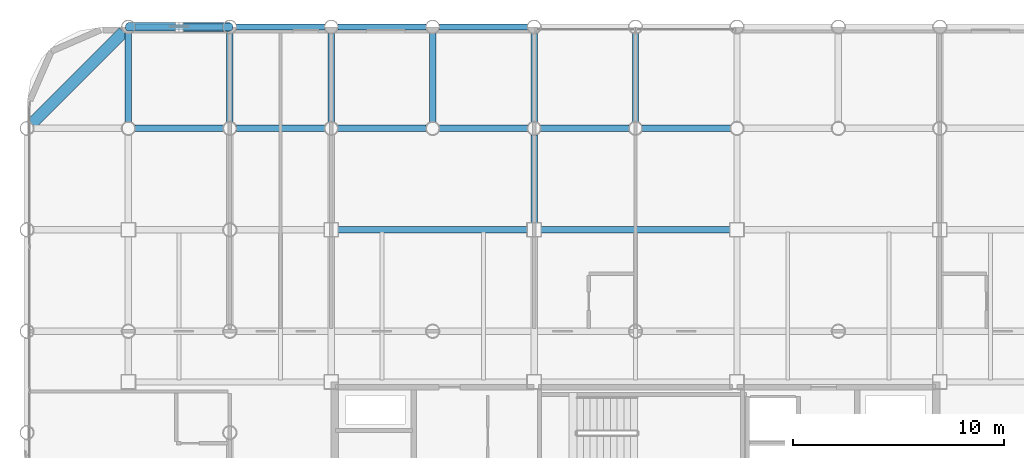
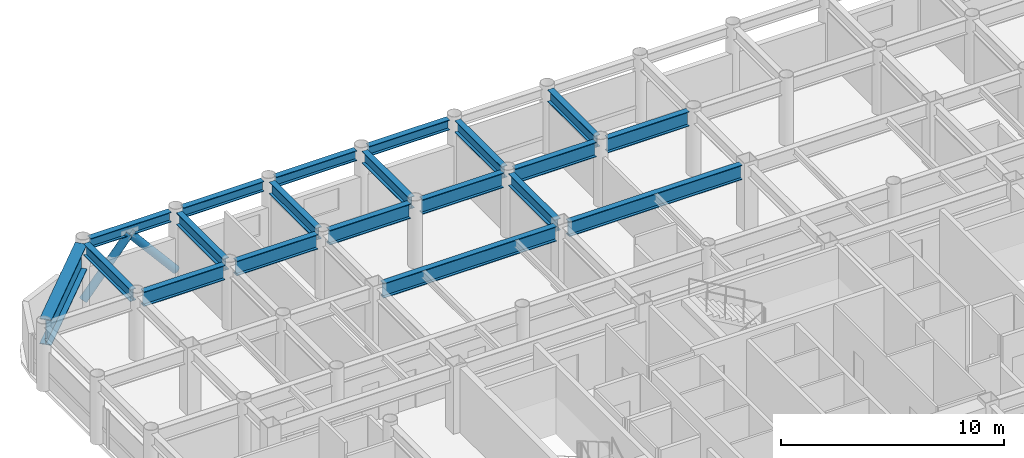
# One storey, part 11 of 22: 20 beams, 2 members.
"""IFC4 building model written with IfcOpenShell, lengths in metres."""

from ifc_helpers import new_model, si_unit, direction, frame, origin, origin_2d, place, context, subcontext, project, spatial, hollow_circle, i_section, extrude, material, material_profile, profile_set, type_object, element, save


model = new_model("IFC4")

# Units and contexts
model_context = context("Model", 3, precision=1e-05, world=origin(), true_north=direction((0.0, 1.0)))
body_context = subcontext(model_context, "Body", "Model", "MODEL_VIEW")
ifc_project = project(units=[si_unit("LENGTHUNIT", "METRE"), si_unit("AREAUNIT", "SQUARE_METRE"), si_unit("VOLUMEUNIT", "CUBIC_METRE"), si_unit("PLANEANGLEUNIT", "RADIAN"), si_unit("MASSUNIT", "GRAM", prefix="KILO")], contexts=[model_context])

# Site, building, storey
site_placement = place(None, origin())
site = spatial("IfcSite", under=ifc_project, at=site_placement, CompositionType="ELEMENT")
building_placement = place(site_placement, origin())
building = spatial("IfcBuilding", under=site, at=building_placement, Name="Kallvorn Hotel Tower", CompositionType="ELEMENT")
storey_placement = place(building_placement, frame((0.0, 0.0, 102.60009765625)))
storey = spatial("IfcBuildingStorey", under=building, at=storey_placement, Name="L24", CompositionType="ELEMENT", Elevation=102.60009765625)

# Beams
ifc_material_1 = material(Name="Structural steel S355JR", Category="steel")
ifc_material_profile_1 = material_profile(ifc_material_1, i_section(OverallWidth=0.300048828125, OverallDepth=0.550048828125, WebThickness=0.014892578125, FlangeThickness=0.029052734375, at=origin_2d()), Name="HE 550 B")
ifc_profile_set_1 = profile_set([ifc_material_profile_1], Name="Structural steel S355JR")
beam_type_1 = type_object("IfcBeamType", Name="BM_HE550B", PredefinedType="SPANDREL", material=ifc_profile_set_1)
for number, where, z_axis, x_axis, name in (
    (1, (-23.679931640625, 24.0, 3.244873046875), (1.0, 0.0, 0.0), (0.0, 1.0, 0.0), "L25 Perimeter Spandrel 163"),
    (2, (-18.8798828125, 24.0, 3.244873046875), (1.0, 0.0, 0.0), (0.0, 1.0, 0.0), "L25 Perimeter Spandrel 164"),
):
    element("IfcBeam", number, at=place(storey_placement, frame(where, z_axis=z_axis, x_axis=x_axis)), inside=storey, type_object=beam_type_1, Name=name, PredefinedType="SPANDREL", context=body_context, shape_type="SweptSolid", body=[
        extrude(i_section(OverallWidth=0.300048828125, OverallDepth=0.550048828125, WebThickness=0.014892578125, FlangeThickness=0.029052734375, at=origin_2d()), origin(), (0.0, 0.0, 1.0), 4.159912109375),
    ])
beam_1_placement = place(storey_placement, frame((-14.080078125, 24.0, 3.244873046875), z_axis=(1.0, 0.0, 0.0), x_axis=(0.0, 1.0, 0.0)))
element("IfcBeam", 3, at=beam_1_placement, inside=storey, type_object=beam_type_1, Name="L25 Perimeter Spandrel 165", PredefinedType="SPANDREL", context=body_context, shape_type="SweptSolid", body=[
    extrude(i_section(OverallWidth=0.300048828125, OverallDepth=0.550048828125, WebThickness=0.014892578125, FlangeThickness=0.029052734375, at=origin_2d()), origin(), (0.0, 0.0, 1.0), 4.16015625),
])
beam_2_placement = place(storey_placement, frame((-9.280029296875, 24.0, 3.244873046875), z_axis=(1.0, 0.0, 0.0), x_axis=(0.0, 1.0, 0.0)))
element("IfcBeam", 4, at=beam_2_placement, inside=storey, type_object=beam_type_1, Name="L25 Perimeter Spandrel 166", PredefinedType="SPANDREL", context=body_context, shape_type="SweptSolid", body=[
    extrude(i_section(OverallWidth=0.300048828125, OverallDepth=0.550048828125, WebThickness=0.014892578125, FlangeThickness=0.029052734375, at=origin_2d()), origin(), (0.0, 0.0, 1.0), 4.159912109375),
])
ifc_material_2 = material(Name="Structural steel S355JR", Category="steel")
ifc_material_profile_2 = material_profile(ifc_material_2, i_section(OverallWidth=0.300048828125, OverallDepth=0.64990234375, WebThickness=0.01611328125, FlangeThickness=0.031005859375, at=origin_2d()), Name="HE 650 B")
ifc_profile_set_2 = profile_set([ifc_material_profile_2], Name="Structural steel S355JR")
beam_type_2 = type_object("IfcBeamType", Name="BM_HE650B", PredefinedType="BEAM", material=ifc_profile_set_2)
for number, where, z_axis, x_axis, name in (
    (5, (-24.0, 19.5048828125, 3.19482421875), (0.0, 1.0, 0.0), (-1.0, 0.0, 0.0), "L25 Primary Y-Girder 87"),
    (6, (-19.199951171875, 19.5048828125, 3.19482421875), (0.0, 1.0, 0.0), (-1.0, 0.0, 0.0), "L25 Primary Y-Girder 96"),
    (7, (-14.39990234375, 19.5048828125, 3.19482421875), (0.0, 1.0, 0.0), (-1.0, 0.0, 0.0), "L25 Primary Y-Girder 101"),
    (8, (-9.60009765625, 19.5048828125, 3.19482421875), (0.0, 1.0, 0.0), (-1.0, 0.0, 0.0), "L25 Primary Y-Girder 104"),
):
    element("IfcBeam", number, at=place(storey_placement, frame(where, z_axis=z_axis, x_axis=x_axis)), inside=storey, type_object=beam_type_2, Name=name, PredefinedType="BEAM", context=body_context, shape_type="SweptSolid", body=[
        extrude(i_section(OverallWidth=0.300048828125, OverallDepth=0.64990234375, WebThickness=0.01611328125, FlangeThickness=0.031005859375, at=origin_2d()), origin(), (0.0, 0.0, 1.0), 4.190185546875),
    ])
beam_3_placement = place(storey_placement, frame((-4.800048828125, 14.72509765625, 3.19482421875), z_axis=(0.0, 1.0, 0.0), x_axis=(-1.0, 0.0, 0.0)))
element("IfcBeam", 9, at=beam_3_placement, inside=storey, type_object=beam_type_2, Name="L25 Primary Y-Girder 108", PredefinedType="BEAM", context=body_context, shape_type="SweptSolid", body=[
    extrude(i_section(OverallWidth=0.300048828125, OverallDepth=0.64990234375, WebThickness=0.01611328125, FlangeThickness=0.031005859375, at=origin_2d()), origin(), (0.0, 0.0, 1.0), 4.169921875),
])
for number, where, z_axis, x_axis, name in (
    (10, (-4.800048828125, 19.5048828125, 3.19482421875), (0.0, 1.0, 0.0), (-1.0, 0.0, 0.0), "L25 Primary Y-Girder 109"),
    (11, (0.0, 19.5048828125, 3.19482421875), (0.0, 1.0, 0.0), (-1.0, 0.0, 0.0), "L25 Primary Y-Girder 112"),
):
    element("IfcBeam", number, at=place(storey_placement, frame(where, z_axis=z_axis, x_axis=x_axis)), inside=storey, type_object=beam_type_2, Name=name, PredefinedType="BEAM", context=body_context, shape_type="SweptSolid", body=[
        extrude(i_section(OverallWidth=0.300048828125, OverallDepth=0.64990234375, WebThickness=0.01611328125, FlangeThickness=0.031005859375, at=origin_2d()), origin(), (0.0, 0.0, 1.0), 4.190185546875),
    ])
ifc_material_3 = material(Name="Structural steel S355JR", Category="steel")
ifc_material_profile_3 = material_profile(ifc_material_3, i_section(OverallWidth=0.300048828125, OverallDepth=0.800048828125, WebThickness=0.017578125, FlangeThickness=0.032958984375, at=origin_2d()), Name="HE 800 B")
ifc_profile_set_3 = profile_set([ifc_material_profile_3], Name="Structural steel S355JR")
beam_type_3 = type_object("IfcBeamType", Name="BM_HE800B", PredefinedType="BEAM", material=ifc_profile_set_3)
beam_4_placement = place(storey_placement, frame((-14.074951171875, 14.39990234375, 3.119873046875), z_axis=(1.0, 0.0, 0.0), x_axis=(0.0, 1.0, 0.0)))
element("IfcBeam", 12, at=beam_4_placement, inside=storey, type_object=beam_type_3, Name="L25 Primary X-Girder 53", PredefinedType="BEAM", context=body_context, shape_type="SweptSolid", body=[
    extrude(i_section(OverallWidth=0.300048828125, OverallDepth=0.800048828125, WebThickness=0.017578125, FlangeThickness=0.032958984375, at=origin_2d()), origin(), (0.0, 0.0, 1.0), 8.949951171875),
])
beam_5_placement = place(storey_placement, frame((-4.47509765625, 14.39990234375, 3.119873046875), z_axis=(1.0, 0.0, 0.0), x_axis=(0.0, 1.0, 0.0)))
element("IfcBeam", 13, at=beam_5_placement, inside=storey, type_object=beam_type_3, Name="L25 Primary X-Girder 54", PredefinedType="BEAM", context=body_context, shape_type="SweptSolid", body=[
    extrude(i_section(OverallWidth=0.300048828125, OverallDepth=0.800048828125, WebThickness=0.017578125, FlangeThickness=0.032958984375, at=origin_2d()), origin(), (0.0, 0.0, 1.0), 8.9501953125),
])
beam_6_placement = place(storey_placement, frame((-23.695068359375, 19.199951171875, 3.119873046875), z_axis=(1.0, 0.0, 0.0), x_axis=(0.0, 1.0, 0.0)))
element("IfcBeam", 14, at=beam_6_placement, inside=storey, type_object=beam_type_3, Name="L25 Primary X-Girder 61", PredefinedType="BEAM", context=body_context, shape_type="SweptSolid", body=[
    extrude(i_section(OverallWidth=0.300048828125, OverallDepth=0.800048828125, WebThickness=0.017578125, FlangeThickness=0.032958984375, at=origin_2d()), origin(), (0.0, 0.0, 1.0), 4.190185546875),
])
for number, where, z_axis, x_axis, name in (
    (15, (-18.89501953125, 19.199951171875, 3.119873046875), (1.0, 0.0, 0.0), (0.0, 1.0, 0.0), "L25 Primary X-Girder 62"),
    (16, (-14.094970703125, 19.199951171875, 3.119873046875), (1.0, 0.0, 0.0), (0.0, 1.0, 0.0), "L25 Primary X-Girder 63"),
    (17, (-9.294921875, 19.199951171875, 3.119873046875), (1.0, 0.0, 0.0), (0.0, 1.0, 0.0), "L25 Primary X-Girder 64"),
):
    element("IfcBeam", number, at=place(storey_placement, frame(where, z_axis=z_axis, x_axis=x_axis)), inside=storey, type_object=beam_type_3, Name=name, PredefinedType="BEAM", context=body_context, shape_type="SweptSolid", body=[
        extrude(i_section(OverallWidth=0.300048828125, OverallDepth=0.800048828125, WebThickness=0.017578125, FlangeThickness=0.032958984375, at=origin_2d()), origin(), (0.0, 0.0, 1.0), 4.18994140625),
    ])
for number, where, z_axis, x_axis, name in (
    (18, (-4.4951171875, 19.199951171875, 3.119873046875), (1.0, 0.0, 0.0), (0.0, 1.0, 0.0), "L25 Primary X-Girder 65"),
    (19, (0.304931640625, 19.199951171875, 3.119873046875), (1.0, 0.0, 0.0), (0.0, 1.0, 0.0), "L25 Primary X-Girder 66"),
):
    element("IfcBeam", number, at=place(storey_placement, frame(where, z_axis=z_axis, x_axis=x_axis)), inside=storey, type_object=beam_type_3, Name=name, PredefinedType="BEAM", context=body_context, shape_type="SweptSolid", body=[
        extrude(i_section(OverallWidth=0.300048828125, OverallDepth=0.800048828125, WebThickness=0.017578125, FlangeThickness=0.032958984375, at=origin_2d()), origin(), (0.0, 0.0, 1.0), 4.190185546875),
    ])
ifc_material_4 = material(Name="Structural steel S355JR", Category="steel")
ifc_material_profile_4 = material_profile(ifc_material_4, i_section(OverallWidth=0.550048828125, OverallDepth=1.39990234375, WebThickness=0.02490234375, FlangeThickness=0.044921875, at=origin_2d()), Name="PG 1400x550x25x45")
ifc_profile_set_4 = profile_set([ifc_material_profile_4], Name="Structural steel S355JR")
beam_type_4 = type_object("IfcBeamType", Name="BM_PG_1400", PredefinedType="BEAM", material=ifc_profile_set_4)
beam_7_placement = place(storey_placement, frame((-28.57373046875, 19.42626953125, 2.81982421875), z_axis=(0.707106781187, 0.707106781187, 0.0), x_axis=(-0.707106781187, 0.707106781187, 0.0)))
element("IfcBeam", 20, at=beam_7_placement, inside=storey, type_object=beam_type_4, Name="L25 Rounded Corner Tie Beam 189", PredefinedType="BEAM", context=body_context, shape_type="SweptSolid", body=[
    extrude(i_section(OverallWidth=0.550048828125, OverallDepth=1.39990234375, WebThickness=0.02490234375, FlangeThickness=0.044921875, at=origin_2d()), origin(), (0.0, 0.0, 1.0), 6.148193359375),
])

# Members
ifc_material_5 = material(Name="Structural steel S355J2H", Category="steel")
ifc_material_profile_5 = material_profile(ifc_material_5, hollow_circle(Radius=0.203125, WallThickness=0.01611328125, at=origin_2d()), Name="CHS 406.4x16")
ifc_profile_set_5 = profile_set([ifc_material_profile_5], Name="Structural steel S355J2H")
member_type = type_object("IfcMemberType", Name="MBR_EXO_CHS406", PredefinedType="BRACE", material=ifc_profile_set_5)
for number, where, z_axis, x_axis, name in (
    (21, (-23.987060546875, 24.0, 0.1953125), (0.646833296797, 0.0, 0.762631422218), (0.0, 1.0, 0.0), "L24 Exoskeleton K-Brace N1A"),
    (22, (-19.212890625, 24.0, 0.1953125), (-0.646833296797, 0.0, 0.762631422218), (0.0, -1.0, 0.0), "L24 Exoskeleton K-Brace N1B"),
):
    element("IfcMember", number, at=place(storey_placement, frame(where, z_axis=z_axis, x_axis=x_axis)), inside=storey, type_object=member_type, Name=name, PredefinedType="BRACE", context=body_context, shape_type="SweptSolid", body=[
        extrude(hollow_circle(Radius=0.203125, WallThickness=0.01611328125, at=origin_2d()), origin(), (0.0, 0.0, 1.0), 3.670654296875),
    ])

save(model, "model.ifc")
